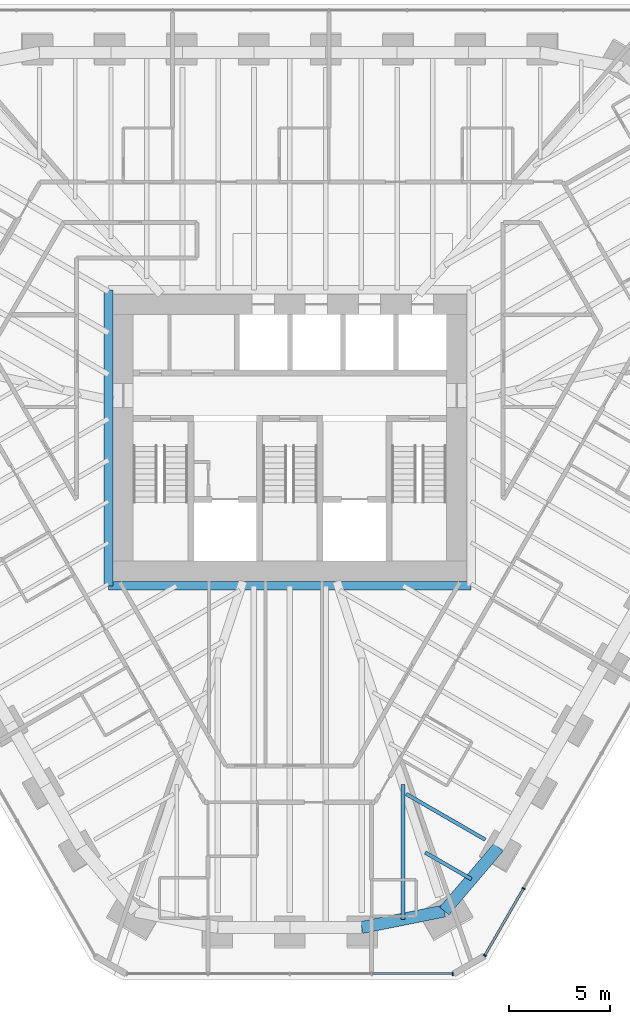
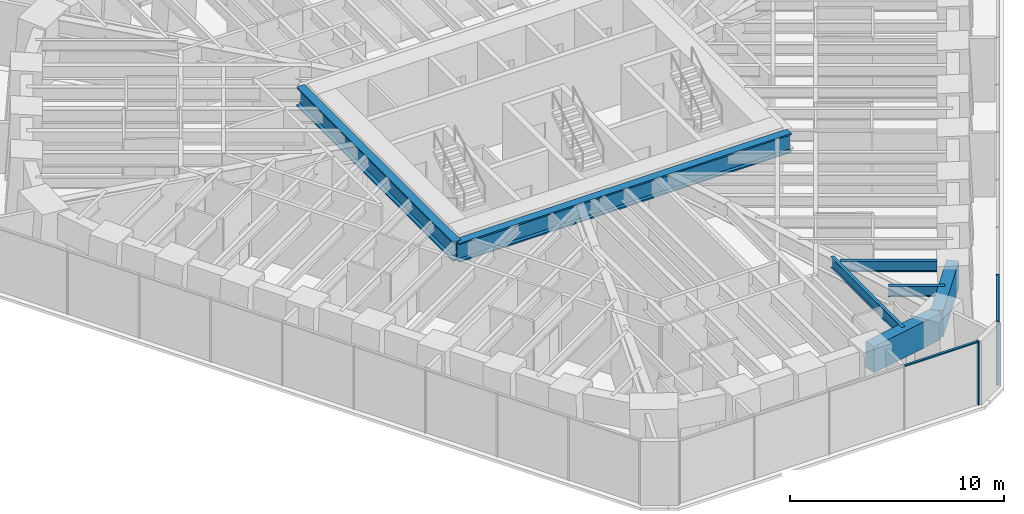
# One storey, part 4 of 16: 7 beams, 5 members, 2 elements without a shape of their own.
"""IFC4 building model written with IfcOpenShell, lengths in metres."""

from ifc_helpers import new_model, si_unit, direction, frame, origin, origin_2d, place, context, subcontext, project, spatial, rectangle, i_section, extrude, material, material_profile, profile_set, type_object, element, aggregate, save


model = new_model("IFC4")

# Units and contexts
model_context = context("Model", 3, precision=1e-05, world=origin(), true_north=direction((0.0, 1.0)))
body_context = subcontext(model_context, "Body", "Model", "MODEL_VIEW")
ifc_project = project(units=[si_unit("LENGTHUNIT", "METRE"), si_unit("AREAUNIT", "SQUARE_METRE"), si_unit("VOLUMEUNIT", "CUBIC_METRE"), si_unit("PLANEANGLEUNIT", "RADIAN"), si_unit("MASSUNIT", "GRAM", prefix="KILO")], contexts=[model_context])

# Site, building, storey
site_placement = place(None, origin())
site = spatial("IfcSite", under=ifc_project, at=site_placement, CompositionType="ELEMENT")
building_placement = place(site_placement, origin())
building = spatial("IfcBuilding", under=site, at=building_placement, Name="Sandreach Pilgrim Tower", CompositionType="ELEMENT")
storey_placement = place(building_placement, frame((0.0, 0.0, 244.0)))
storey = spatial("IfcBuildingStorey", under=building, at=storey_placement, Name="L61", CompositionType="ELEMENT", Elevation=244.0)

# Curtain wall, members
ifc_material_1 = material(Name="Aluminium framed curtain wall", Category="aluminium")
curtain_wall_type = type_object("IfcCurtainWallType", Name="Upper hotel tower curtain wall", PredefinedType="NOTDEFINED", material=ifc_material_1)
curtain_wall_1_placement = place(storey_placement, origin())
curtain_wall_1 = element("IfcCurtainWall", 1, at=curtain_wall_1_placement, inside=storey, type_object=curtain_wall_type, Name="CW-3 L61 SE", PredefinedType="NOTDEFINED")
ifc_material_2 = material(Name="Aluminium extrusion", Category="aluminium")
ifc_material_profile_1 = material_profile(ifc_material_2, rectangle(XDim=0.06494140625, YDim=0.159912109375, at=origin_2d()), Name="CW-3M 65X160")
ifc_profile_set_1 = profile_set([ifc_material_profile_1], Name="Aluminium extrusion")
member_type_1 = type_object("IfcMemberType", Name="CW-3 mullion", PredefinedType="MULLION", material=ifc_profile_set_1)
member_1_placement = place(storey_placement, frame((11.5625, -22.29345703125, 0.0), z_axis=(0.0, 0.0, 1.0), x_axis=(-0.5, -0.866025403784, 0.0)))
member_1 = element("IfcMember", 2, at=member_1_placement, type_object=member_type_1, Name="CW-3 mullion 9", PredefinedType="MULLION", context=body_context, shape_type="SweptSolid", body=[
    extrude(rectangle(XDim=0.06494140625, YDim=0.159912109375, at=origin_2d()), origin(), (0.0, 0.0, 1.0), 3.639892578125),
])
member_2_placement = place(storey_placement, frame((9.646484375, -25.612060546875, 0.0), z_axis=(0.0, 0.0, 1.0), x_axis=(-0.5, -0.866025403784, 0.0)))
member_2 = element("IfcMember", 3, at=member_2_placement, type_object=member_type_1, Name="CW-3 mullion 10", PredefinedType="MULLION", context=body_context, shape_type="SweptSolid", body=[
    extrude(rectangle(XDim=0.06494140625, YDim=0.159912109375, at=origin_2d()), origin(), (0.0, 0.0, 1.0), 3.639892578125),
])

# Curtain wall, member
curtain_wall_2_placement = place(storey_placement, origin())
curtain_wall_2 = element("IfcCurtainWall", 4, at=curtain_wall_2_placement, inside=storey, type_object=curtain_wall_type, Name="CW-3 L61 S", PredefinedType="NOTDEFINED")
member_3_placement = place(storey_placement, frame((8.06494140625, -26.525146484375, 0.0), z_axis=(0.0, 0.0, 1.0), x_axis=(-1.0, 0.0, 0.0)))
member_3 = element("IfcMember", 5, at=member_3_placement, type_object=member_type_1, Name="CW-3 mullion 1", PredefinedType="MULLION", context=body_context, shape_type="SweptSolid", body=[
    extrude(rectangle(XDim=0.06494140625, YDim=0.159912109375, at=origin_2d()), origin(), (0.0, 0.0, 1.0), 3.639892578125),
])

# Member
ifc_material_3 = material(Name="Aluminium extrusion", Category="aluminium")
ifc_material_profile_2 = material_profile(ifc_material_3, rectangle(XDim=0.1201171875, YDim=0.070068359375, at=origin_2d()), Name="CW-3T 120X70")
ifc_profile_set_2 = profile_set([ifc_material_profile_2], Name="Aluminium extrusion")
member_type_2 = type_object("IfcMemberType", Name="CW-3 transom", PredefinedType="USERDEFINED", material=ifc_profile_set_2)
member_4_placement = place(storey_placement, frame((11.546142578125, -22.321533203125, 3.60498046875), z_axis=(-0.499973055223, -0.8660409598, 0.0), x_axis=(0.8660409598, -0.499973055223, 0.0)))
member_4 = element("IfcMember", 6, at=member_4_placement, type_object=member_type_2, Name="CW-3 head transom 9", ObjectType="TRANSOM", PredefinedType="USERDEFINED", context=body_context, shape_type="SweptSolid", body=[
    extrude(rectangle(XDim=0.1201171875, YDim=0.070068359375, at=origin_2d()), origin(), (0.0, 0.0, 1.0), 3.766845703125),
])

aggregate(curtain_wall_1, [member_1, member_2, member_4])

member_5_placement = place(storey_placement, frame((8.032470703125, -26.525146484375, 3.60498046875), z_axis=(-1.0, 0.0, 0.0), x_axis=(0.0, -1.0, 0.0)))
member_5 = element("IfcMember", 7, at=member_5_placement, type_object=member_type_2, Name="CW-3 head transom 1", ObjectType="TRANSOM", PredefinedType="USERDEFINED", context=body_context, shape_type="SweptSolid", body=[
    extrude(rectangle(XDim=0.1201171875, YDim=0.070068359375, at=origin_2d()), origin(), (0.0, 0.0, 1.0), 3.951171875),
])

aggregate(curtain_wall_2, [member_3, member_5])

# Beams
ifc_material_4 = material(Name="Steel ASTM A992 Grade 50", Category="steel")
ifc_material_profile_3 = material_profile(ifc_material_4, i_section(OverallWidth=0.424072265625, OverallDepth=1.09228515625, WebThickness=0.04541015625, FlangeThickness=0.08203125, at=origin_2d()), Name="W40X593")
ifc_profile_set_3 = profile_set([ifc_material_profile_3], Name="Steel ASTM A992 Grade 50")
beam_type_1 = type_object("IfcBeamType", Name="Core edge beam W40X593", PredefinedType="BEAM", material=ifc_profile_set_3)
beam_1_placement = place(storey_placement, frame((8.97216796875, -7.322021484375, 3.093994140625), z_axis=(-1.0, 0.0, 0.0), x_axis=(0.0, -1.0, 0.0)))
element("IfcBeam", 8, at=beam_1_placement, inside=storey, type_object=beam_type_1, Name="BM L61 CES", PredefinedType="BEAM", context=body_context, shape_type="SweptSolid", body=[
    extrude(i_section(OverallWidth=0.424072265625, OverallDepth=1.09228515625, WebThickness=0.04541015625, FlangeThickness=0.08203125, at=origin_2d()), origin(), (0.0, 0.0, 1.0), 17.9443359375),
])
beam_2_placement = place(storey_placement, frame((-8.97216796875, -7.322021484375, 3.093994140625), z_axis=(0.0, 1.0, 0.0), x_axis=(-1.0, 0.0, 0.0)))
element("IfcBeam", 9, at=beam_2_placement, inside=storey, type_object=beam_type_1, Name="BM L61 CEW", PredefinedType="BEAM", context=body_context, shape_type="SweptSolid", body=[
    extrude(i_section(OverallWidth=0.424072265625, OverallDepth=1.09228515625, WebThickness=0.04541015625, FlangeThickness=0.08203125, at=origin_2d()), origin(), (0.0, 0.0, 1.0), 14.64404296875),
])
ifc_material_5 = material(Name="Steel ASTM A992 Grade 50", Category="steel")
ifc_material_profile_4 = material_profile(ifc_material_5, i_section(OverallWidth=0.1787109375, OverallDepth=0.60205078125, WebThickness=0.010986328125, FlangeThickness=0.014892578125, at=origin_2d()), Name="W24X62")
ifc_profile_set_4 = profile_set([ifc_material_profile_4], Name="Steel ASTM A992 Grade 50")
beam_type_2 = type_object("IfcBeamType", Name="Floor beam W24X62", PredefinedType="BEAM", material=ifc_profile_set_4)
beam_3_placement = place(storey_placement, frame((9.6728515625, -19.884521484375, 3.339111328125), z_axis=(-0.866031132047, 0.499990078228, 0.0), x_axis=(-0.499990078228, -0.866031132047, 0.0)))
element("IfcBeam", 10, at=beam_3_placement, inside=storey, type_object=beam_type_2, Name="BM L61 F21", PredefinedType="BEAM", context=body_context, shape_type="SweptSolid", body=[
    extrude(i_section(OverallWidth=0.1787109375, OverallDepth=0.60205078125, WebThickness=0.010986328125, FlangeThickness=0.014892578125, at=origin_2d()), origin(), (0.0, 0.0, 1.0), 4.52734375),
])
beam_4_placement = place(storey_placement, frame((8.982421875, -21.836181640625, 3.339111328125), z_axis=(-0.865985279442, 0.50006949096, 0.0), x_axis=(-0.50006949096, -0.865985279442, 0.0)))
element("IfcBeam", 11, at=beam_4_placement, inside=storey, type_object=beam_type_2, Name="BM L61 FM21", PredefinedType="BEAM", context=body_context, shape_type="SweptSolid", body=[
    extrude(i_section(OverallWidth=0.1787109375, OverallDepth=0.60205078125, WebThickness=0.010986328125, FlangeThickness=0.014892578125, at=origin_2d()), origin(), (0.0, 0.0, 1.0), 2.638671875),
])
beam_5_placement = place(storey_placement, frame((5.60009765625, -23.819580078125, 3.339111328125), z_axis=(0.0, 1.0, 0.0), x_axis=(-1.0, 0.0, 0.0)))
element("IfcBeam", 12, at=beam_5_placement, inside=storey, type_object=beam_type_2, Name="BM L61 FM22", PredefinedType="BEAM", context=body_context, shape_type="SweptSolid", body=[
    extrude(i_section(OverallWidth=0.1787109375, OverallDepth=0.60205078125, WebThickness=0.010986328125, FlangeThickness=0.014892578125, at=origin_2d()), origin(), (0.0, 0.0, 1.0), 6.66357421875),
])
ifc_material_6 = material(Name="Concrete 10000 psi", Category="concrete")
ifc_material_profile_5 = material_profile(ifc_material_6, rectangle(XDim=0.60009765625, YDim=1.5, at=origin_2d()), Name="RC600X1500")
ifc_profile_set_5 = profile_set([ifc_material_profile_5], Name="Concrete 10000 psi")
beam_type_3 = type_object("IfcBeamType", Name="Spandrel beam RC600X1500", PredefinedType="SPANDREL", material=ifc_profile_set_5)
beam_6_placement = place(storey_placement, frame((10.322509765625, -20.259521484375, 2.889892578125), z_axis=(-0.647622731127, -0.761961152637, 0.0), x_axis=(0.761961152637, -0.647622731127, 0.0)))
element("IfcBeam", 13, at=beam_6_placement, inside=storey, type_object=beam_type_3, Name="BM L61 SP21", PredefinedType="SPANDREL", context=body_context, shape_type="SweptSolid", body=[
    extrude(rectangle(XDim=0.60009765625, YDim=1.5, at=origin_2d()), origin(), (0.0, 0.0, 1.0), 4.13818359375),
])
beam_7_placement = place(storey_placement, frame((7.642578125, -23.41259765625, 2.889892578125), z_axis=(-0.980717958668, -0.195428466571, 0.0), x_axis=(0.195428466571, -0.980717958668, 0.0)))
element("IfcBeam", 14, at=beam_7_placement, inside=storey, type_object=beam_type_3, Name="BM L61 SP22", PredefinedType="SPANDREL", context=body_context, shape_type="SweptSolid", body=[
    extrude(rectangle(XDim=0.60009765625, YDim=1.5, at=origin_2d()), origin(), (0.0, 0.0, 1.0), 4.1650390625),
])

save(model, "model.ifc")
